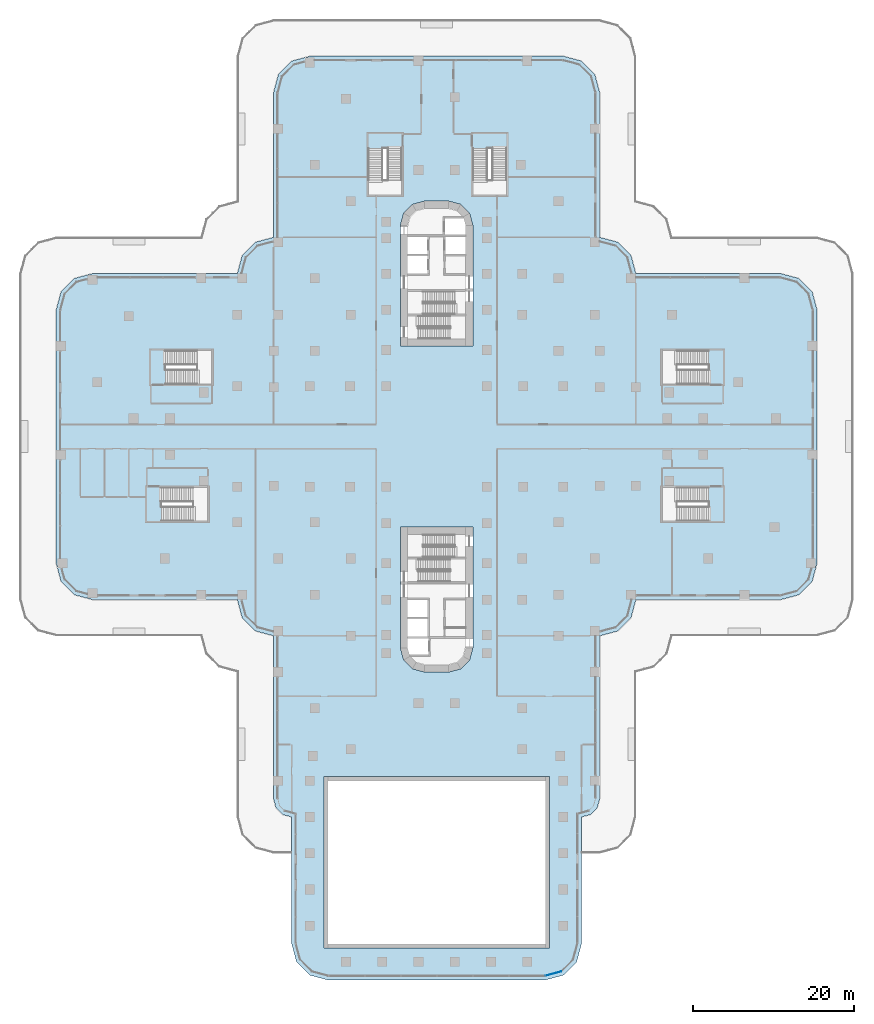
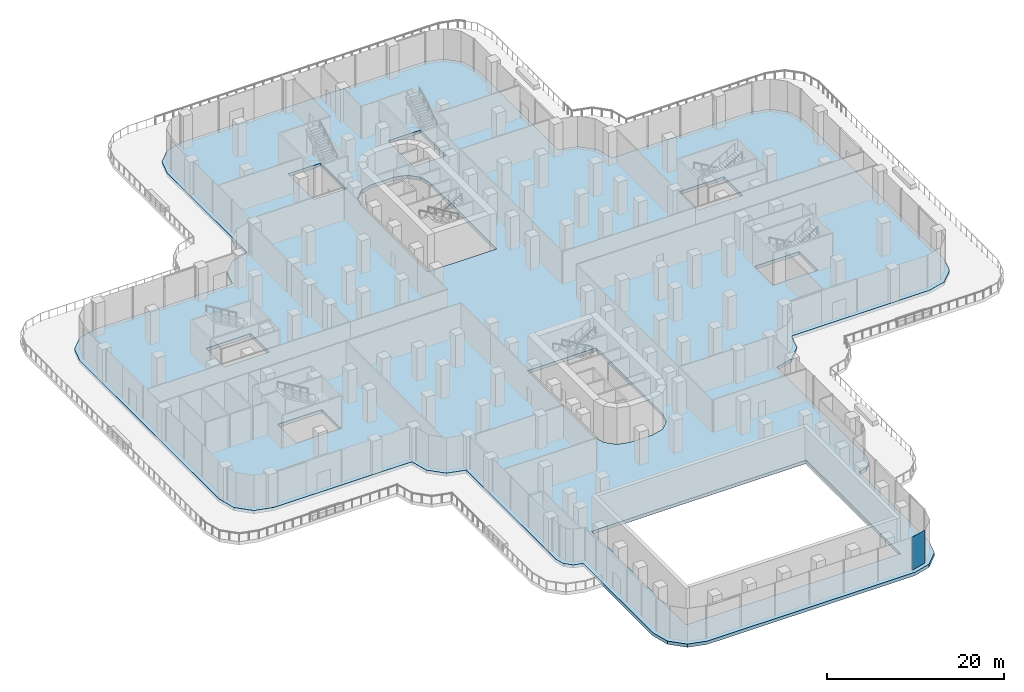
# One storey, part 12 of 29: 1 plate, 1 slab, 1 element without a shape of its own.
"""IFC4 building model written with IfcOpenShell, lengths in metres."""

from ifc_helpers import new_model, si_unit, direction, frame, origin, place, context, subcontext, project, spatial, polyline, outline, extrude, source, transform, mapped, material, layer, layer_set, type_object, element, aggregate, save


model = new_model("IFC4")

# Units and contexts
model_context = context("Model", 3, precision=1e-05, world=origin(), true_north=direction((0.0, 1.0)))
body_context = subcontext(model_context, "Body", "Model", "MODEL_VIEW")
ifc_project = project(units=[si_unit("LENGTHUNIT", "METRE"), si_unit("AREAUNIT", "SQUARE_METRE"), si_unit("VOLUMEUNIT", "CUBIC_METRE"), si_unit("PLANEANGLEUNIT", "RADIAN"), si_unit("MASSUNIT", "GRAM", prefix="KILO")], contexts=[model_context])

# Site, building, storey
site_placement = place(None, origin())
site = spatial("IfcSite", under=ifc_project, at=site_placement, CompositionType="ELEMENT")
building_placement = place(site_placement, origin())
building = spatial("IfcBuilding", under=site, at=building_placement, Name="Zarbagh Exchange Tower", CompositionType="ELEMENT")
storey_placement = place(building_placement, frame((0.0, 0.0, 12.0)))
storey = spatial("IfcBuildingStorey", under=building, at=storey_placement, Name="L02", CompositionType="ELEMENT", Elevation=12.0)

# Slab
ifc_material_1 = material(Name="Concrete C50/60", Category="concrete")
ifc_layer_1 = layer(ifc_material_1, 0.449951171875)
ifc_layer_set_1 = layer_set([ifc_layer_1], Name="Flat slab 450 C50/60")
slab_type = type_object("IfcSlabType", Name="Flat slab 450 C50/60", PredefinedType="FLOOR", material=ifc_layer_set_1)
slab_placement = place(storey_placement, frame((0.0, 0.0, -0.449951171875)))
element("IfcSlab", 1, at=slab_placement, inside=storey, type_object=slab_type, Name="S4 flat slab", PredefinedType="FLOOR", context=body_context, shape_type="SweptSolid", body=[
    extrude(outline(polyline([(-17.397216796875, -65.25), (-18.0, -63.0), (-18.0, -47.25), (-19.125, -46.948486328125), (-19.948486328125, -46.125), (-20.25, -45.0), (-20.25, -24.75), (-22.5, -24.147216796875), (-24.147216796875, -22.5), (-24.75, -20.25), (-42.75, -20.25), (-45.0, -19.647216796875), (-46.647216796875, -18.0), (-47.25, -15.75), (-47.25, 15.75), (-46.647216796875, 18.0), (-45.0, 19.647216796875), (-42.75, 20.25), (-24.75, 20.25), (-24.147216796875, 22.5), (-22.5, 24.147216796875), (-20.25, 24.75), (-20.25, 42.75), (-19.647216796875, 45.0), (-18.0, 46.647216796875), (-15.75, 47.25), (15.75, 47.25), (18.0, 46.647216796875), (19.647216796875, 45.0), (20.25, 42.75), (20.25, 24.75), (22.5, 24.147216796875), (24.147216796875, 22.5), (24.75, 20.25), (42.75, 20.25), (45.0, 19.647216796875), (46.647216796875, 18.0), (47.25, 15.75), (47.25, -15.75), (46.647216796875, -18.0), (45.0, -19.647216796875), (42.75, -20.25), (24.75, -20.25), (24.147216796875, -22.5), (22.5, -24.147216796875), (20.25, -24.75), (20.25, -45.0), (19.948486328125, -46.125), (19.125, -46.948486328125), (18.0, -47.25), (18.0, -63.0), (17.397216796875, -65.25), (15.75, -66.897216796875), (13.5, -67.5), (-13.5, -67.5), (-15.75, -66.897216796875), (-17.397216796875, -65.25)]), holes=[polyline([(-14.0, -63.5), (14.0, -63.5), (14.0, -42.25), (-14.0, -42.25), (-14.0, -63.5)]), polyline([(4.5, 26.25), (4.09814453125, 27.75), (3.0, 28.84814453125), (1.5, 29.25), (-1.5, 29.25), (-3.0, 28.84814453125), (-4.09814453125, 27.75), (-4.5, 26.25), (-4.5, 11.25), (4.5, 11.25), (4.5, 26.25)]), polyline([(1.5, -29.25), (3.0, -28.84814453125), (4.09814453125, -27.75), (4.5, -26.25), (4.5, -11.25), (-4.5, -11.25), (-4.5, -26.25), (-4.09814453125, -27.75), (-3.0, -28.84814453125), (-1.5, -29.25), (1.5, -29.25)]), polyline([(-34.199951171875, -6.300048828125), (-34.199951171875, -10.5), (-28.39990234375, -10.5), (-28.39990234375, -6.300048828125), (-34.199951171875, -6.300048828125)]), polyline([(28.0, -10.5), (33.800048828125, -10.5), (33.800048828125, -6.300048828125), (28.0, -6.300048828125), (28.0, -10.5)]), polyline([(-27.89990234375, 10.699951171875), (-33.699951171875, 10.699951171875), (-33.699951171875, 6.5), (-27.89990234375, 6.5), (-27.89990234375, 10.699951171875)]), polyline([(33.800048828125, 6.5), (33.800048828125, 10.699951171875), (28.0, 10.699951171875), (28.0, 6.5), (33.800048828125, 6.5)]), polyline([(-4.300048828125, 30.0), (-4.300048828125, 35.800048828125), (-8.5, 35.800048828125), (-8.5, 30.0), (-4.300048828125, 30.0)]), polyline([(8.699951171875, 30.0), (8.699951171875, 35.800048828125), (4.5, 35.800048828125), (4.5, 30.0), (8.699951171875, 30.0)])]), origin(), (0.0, 0.0, 1.0), 0.449951171875),
])

# Curtain wall, plate
ifc_material_2 = material(Name="Anodised aluminium frame and glazing", Category="aluminium")
curtain_wall_type = type_object("IfcCurtainWallType", Name="CWD Exchange hall wall glazing", PredefinedType="NOTDEFINED", material=ifc_material_2)
curtain_wall_placement = place(storey_placement, origin())
curtain_wall = element("IfcCurtainWall", 2, at=curtain_wall_placement, inside=storey, type_object=curtain_wall_type, Name="CWD01 curtain wall", PredefinedType="NOTDEFINED")
ifc_material_3 = material(Name="Low-e double glazed unit, 6+12+6 mm")
ifc_layer_2 = layer(ifc_material_3, 0.035888671875)
ifc_layer_set_2 = layer_set([ifc_layer_2], Name="PAD Glazing panel, Low-e double glazed unit, 6+12+6 mm")
plate_type = type_object("IfcPlateType", Name="PAD Glazing panel, Low-e double glazed unit, 6+12+6 mm", PredefinedType="CURTAIN_PANEL", material=ifc_layer_set_2)
shared_shape = source(origin(), body_context, "Body", "SweptSolid", [
    extrude(outline(polyline([(0.0, -0.01806640625), (2.049560546875, -0.01806640625), (2.049560546875, 0.01806640625), (0.0, 0.01806640625), (0.0, -0.01806640625)])), origin(), (0.0, 0.0, 1.0), 4.550048828125),
])
plate_placement = place(storey_placement, origin())
plate = element("IfcPlate", 3, at=plate_placement, type_object=plate_type, Name="CWD01 glazing panel 1.1", PredefinedType="CURTAIN_PANEL", context=body_context, shape_type="MappedRepresentation", body=[
    mapped(shared_shape, transform((13.511474609375, -66.979248046875, 0.0), x_axis=(0.965924289636, 0.258824779902, 0.0), y_axis=(-0.258824779902, 0.965924289636, 0.0), z_axis=(0.0, 0.0, 1.0))),
])
aggregate(curtain_wall, [plate])

save(model, "model.ifc")
